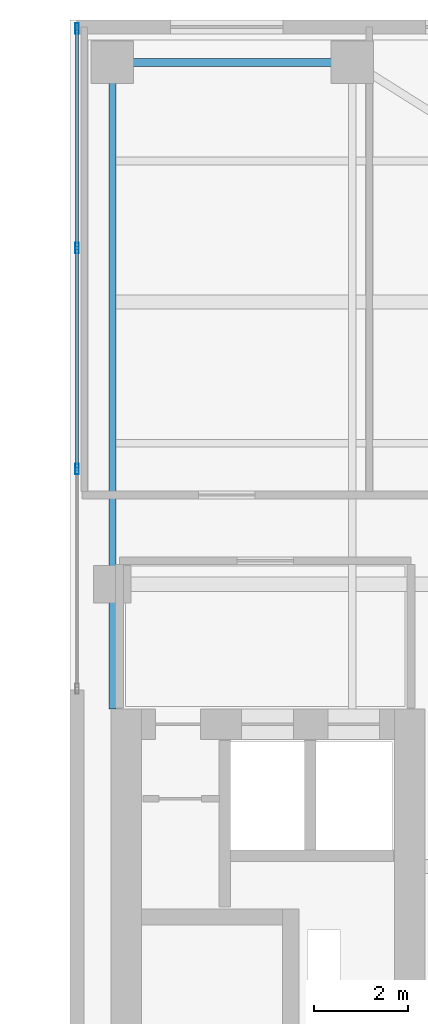
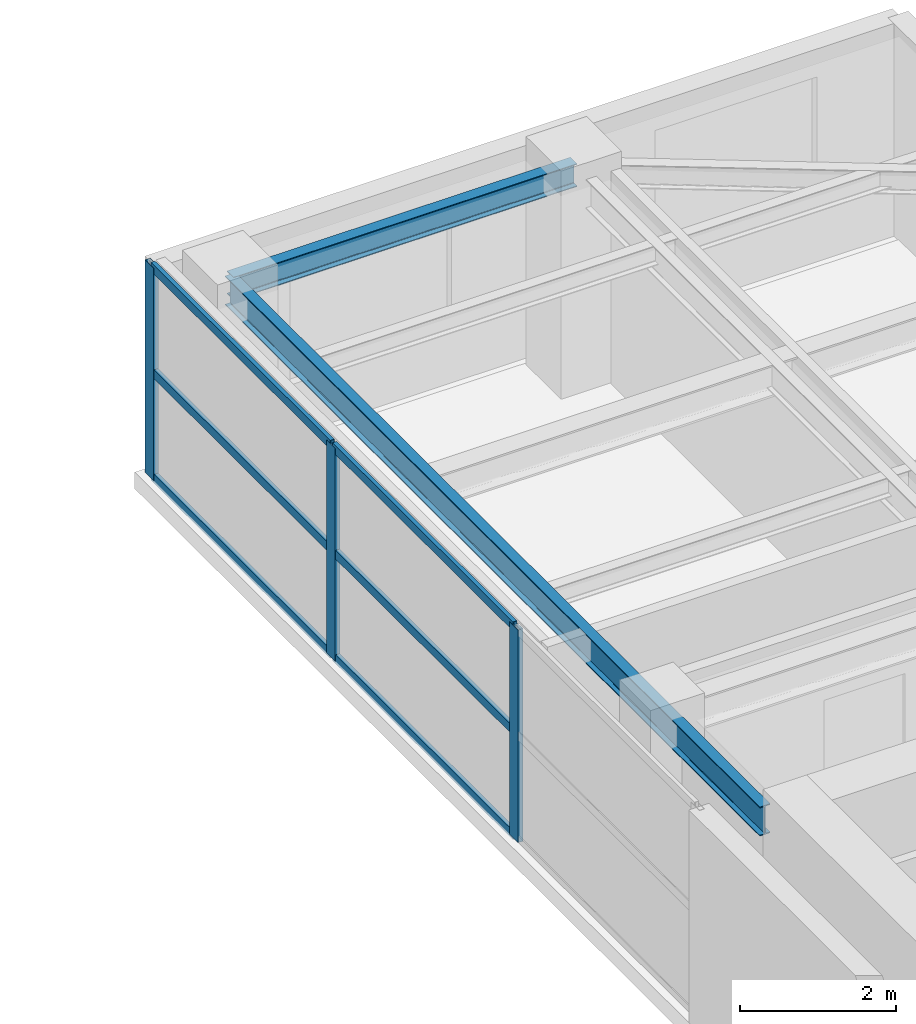
# One storey, part 14 of 21: 9 members, 2 beams, 1 element without a shape of its own.
"""IFC4 building model written with IfcOpenShell, lengths in metres."""

from ifc_helpers import new_model, si_unit, direction, frame, origin, origin_2d, place, context, subcontext, project, spatial, hollow_rectangle, i_section, extrude, source, transform, mapped, material, layer, layer_set, material_profile, profile_set, type_object, element, aggregate, save


model = new_model("IFC4")

# Units and contexts
model_context = context("Model", 3, precision=1e-05, world=origin(), true_north=direction((0.0, 1.0)))
body_context = subcontext(model_context, "Body", "Model", "MODEL_VIEW")
ifc_project = project(units=[si_unit("LENGTHUNIT", "METRE"), si_unit("AREAUNIT", "SQUARE_METRE"), si_unit("VOLUMEUNIT", "CUBIC_METRE"), si_unit("PLANEANGLEUNIT", "RADIAN"), si_unit("MASSUNIT", "GRAM", prefix="KILO")], contexts=[model_context])

# Site, building, storey
site_placement = place(None, origin())
site = spatial("IfcSite", under=ifc_project, at=site_placement, CompositionType="ELEMENT")
building_placement = place(site_placement, origin())
building = spatial("IfcBuilding", under=site, at=building_placement, Name="Khoralis Quay Care Tower", CompositionType="ELEMENT")
storey_placement = place(building_placement, frame((0.0, 0.0, 206.10009765625)))
storey = spatial("IfcBuildingStorey", under=building, at=storey_placement, Name="L54", CompositionType="ELEMENT", Elevation=206.10009765625)

# Beams
ifc_material_1 = material(Name="Steel S355", Category="steel")
ifc_material_profile_1 = material_profile(ifc_material_1, i_section(OverallWidth=0.169921875, OverallDepth=0.360107421875, WebThickness=0.008056640625, FlangeThickness=0.0126953125, FilletRadius=0.01806640625, at=origin_2d()), Name="Steel S355")
ifc_profile_set_1 = profile_set([ifc_material_profile_1], Name="Steel S355")
beam_type_1 = type_object("IfcBeamType", Name="BM-IPE360", PredefinedType="SPANDREL", material=ifc_profile_set_1)
shared_shape_1 = source(origin(), body_context, "Body", "SweptSolid", [
    extrude(i_section(OverallWidth=0.169921875, OverallDepth=0.360107421875, WebThickness=0.008056640625, FlangeThickness=0.0126953125, FilletRadius=0.01806640625, at=origin_2d()), origin(), (0.0, 0.0, 1.0), 5.10009765625),
])
beam_1_placement = place(storey_placement, frame((30.89990234375, 41.10009765625, 3.159912109375), z_axis=(1.0, 0.0, 0.0), x_axis=(0.0, 1.0, 0.0)))
element("IfcBeam", 1, at=beam_1_placement, inside=storey, type_object=beam_type_1, Name="BM-TSP-L54-04", PredefinedType="SPANDREL", context=body_context, shape_type="MappedRepresentation", body=[
    mapped(shared_shape_1, transform((0.0, 0.0, 0.0), scale=1.0)),
])
ifc_material_profile_2 = material_profile(ifc_material_1, i_section(OverallWidth=0.154052734375, OverallDepth=0.458984375, WebThickness=0.009033203125, FlangeThickness=0.015380859375, FilletRadius=0.014892578125, at=origin_2d()), Name="Steel S355")
ifc_profile_set_2 = profile_set([ifc_material_profile_2], Name="Steel S355")
beam_type_2 = type_object("IfcBeamType", Name="BM-W460X68", PredefinedType="BEAM", material=ifc_profile_set_2)
shared_shape_2 = source(origin(), body_context, "Body", "SweptSolid", [
    extrude(i_section(OverallWidth=0.154052734375, OverallDepth=0.458984375, WebThickness=0.009033203125, FlangeThickness=0.015380859375, FilletRadius=0.014892578125, at=origin_2d()), origin(), (0.0, 0.0, 1.0), 13.752197265625),
])
beam_2_placement = place(storey_placement, frame((30.89990234375, 27.347900390625, 3.1103515625), z_axis=(0.0, 1.0, 0.0), x_axis=(-1.0, 0.0, 0.0)))
element("IfcBeam", 2, at=beam_2_placement, inside=storey, type_object=beam_type_2, Name="BM-TGYN-L54-309", PredefinedType="BEAM", context=body_context, shape_type="MappedRepresentation", body=[
    mapped(shared_shape_2, transform((0.0, 0.0, 0.0), scale=1.0)),
])

# Curtain wall, members
ifc_material_2 = material(Name="Pale anodised aluminium", Category="aluminium")
ifc_layer = layer(ifc_material_2, 0.18994140625)
ifc_layer_set = layer_set([ifc_layer], Name="Pale anodised aluminium")
curtain_wall_type = type_object("IfcCurtainWallType", Name="CW-SYS-PORTAL", PredefinedType="NOTDEFINED", material=ifc_layer_set)
curtain_wall_placement = place(storey_placement, origin())
curtain_wall = element("IfcCurtainWall", 3, at=curtain_wall_placement, inside=storey, type_object=curtain_wall_type, Name="L54 Unitised Curtain Wall CW-VP-L54-P2-N", PredefinedType="NOTDEFINED")
ifc_material_profile_3 = material_profile(ifc_material_2, hollow_rectangle(XDim=0.06005859375, YDim=0.139892578125, WallThickness=0.00390625, at=origin_2d()), Name="Pale anodised aluminium")
ifc_profile_set_3 = profile_set([ifc_material_profile_3], Name="Pale anodised aluminium")
member_type_1 = type_object("IfcMemberType", Name="CW-TRN-140", PredefinedType="USERDEFINED", material=ifc_profile_set_3)
shared_shape_3 = source(origin(), body_context, "Body", "SweptSolid", [
    extrude(hollow_rectangle(XDim=0.06005859375, YDim=0.139892578125, WallThickness=0.00390625, at=origin_2d()), origin(), (0.0, 0.0, 1.0), 4.610107421875),
])
member_1_placement = place(storey_placement, frame((30.14990234375, 37.179931640625, 0.02978515625), z_axis=(0.0, 1.0, 0.0), x_axis=(-1.0, 0.0, 0.0)))
member_1 = element("IfcMember", 4, at=member_1_placement, type_object=member_type_1, Name="CW4 transom 3.1", ObjectType="TRANSOM", PredefinedType="USERDEFINED", context=body_context, shape_type="MappedRepresentation", body=[
    mapped(shared_shape_3, transform((0.0, 0.0, 0.0), scale=1.0)),
])
member_2_placement = place(storey_placement, frame((30.14990234375, 37.179931640625, 1.669921875), z_axis=(0.0, 1.0, 0.0), x_axis=(-1.0, 0.0, 0.0)))
member_2 = element("IfcMember", 5, at=member_2_placement, type_object=member_type_1, Name="CW4 transom 3.2", ObjectType="TRANSOM", PredefinedType="USERDEFINED", context=body_context, shape_type="MappedRepresentation", body=[
    mapped(shared_shape_3, transform((0.0, 0.0, 0.0), scale=1.0)),
])
member_3_placement = place(storey_placement, frame((30.14990234375, 37.179931640625, 3.309814453125), z_axis=(0.0, 1.0, 0.0), x_axis=(-1.0, 0.0, 0.0)))
member_3 = element("IfcMember", 6, at=member_3_placement, type_object=member_type_1, Name="CW4 transom 3.3", ObjectType="TRANSOM", PredefinedType="USERDEFINED", context=body_context, shape_type="MappedRepresentation", body=[
    mapped(shared_shape_3, transform((0.0, 0.0, 0.0), scale=1.0)),
])
shared_shape_4 = source(origin(), body_context, "Body", "SweptSolid", [
    extrude(hollow_rectangle(XDim=0.06005859375, YDim=0.139892578125, WallThickness=0.00390625, at=origin_2d()), origin(), (0.0, 0.0, 1.0), 4.64013671875),
])
member_4_placement = place(storey_placement, frame((30.14990234375, 32.47998046875, 0.02978515625), z_axis=(0.0, 1.0, 0.0), x_axis=(-1.0, 0.0, 0.0)))
member_4 = element("IfcMember", 7, at=member_4_placement, type_object=member_type_1, Name="CW4 transom 2.1", ObjectType="TRANSOM", PredefinedType="USERDEFINED", context=body_context, shape_type="MappedRepresentation", body=[
    mapped(shared_shape_4, transform((0.0, 0.0, 0.0), scale=1.0)),
])
member_5_placement = place(storey_placement, frame((30.14990234375, 32.47998046875, 1.669921875), z_axis=(0.0, 1.0, 0.0), x_axis=(-1.0, 0.0, 0.0)))
member_5 = element("IfcMember", 8, at=member_5_placement, type_object=member_type_1, Name="CW4 transom 2.2", ObjectType="TRANSOM", PredefinedType="USERDEFINED", context=body_context, shape_type="MappedRepresentation", body=[
    mapped(shared_shape_4, transform((0.0, 0.0, 0.0), scale=1.0)),
])
member_6_placement = place(storey_placement, frame((30.14990234375, 32.47998046875, 3.309814453125), z_axis=(0.0, 1.0, 0.0), x_axis=(-1.0, 0.0, 0.0)))
member_6 = element("IfcMember", 9, at=member_6_placement, type_object=member_type_1, Name="CW4 transom 2.3", ObjectType="TRANSOM", PredefinedType="USERDEFINED", context=body_context, shape_type="MappedRepresentation", body=[
    mapped(shared_shape_4, transform((0.0, 0.0, 0.0), scale=1.0)),
])
ifc_material_profile_4 = material_profile(ifc_material_2, hollow_rectangle(XDim=0.074951171875, YDim=0.219970703125, WallThickness=0.00390625, at=origin_2d()), Name="Pale anodised aluminium")
ifc_profile_set_4 = profile_set([ifc_material_profile_4], Name="Pale anodised aluminium")
member_type_2 = type_object("IfcMemberType", Name="CW-MUL-220", PredefinedType="MULLION", material=ifc_profile_set_4)
shared_shape_5 = source(origin(), body_context, "Body", "SweptSolid", [
    extrude(hollow_rectangle(XDim=0.074951171875, YDim=0.219970703125, WallThickness=0.00390625, at=origin_2d()), origin(), (0.0, 0.0, 1.0), 3.33984375),
])
member_7_placement = place(storey_placement, frame((30.14990234375, 32.449951171875, 0.0), z_axis=(0.0, 0.0, 1.0), x_axis=(-1.0, 0.0, 0.0)))
member_7 = element("IfcMember", 10, at=member_7_placement, type_object=member_type_2, Name="CW4 mullion 2", PredefinedType="MULLION", context=body_context, shape_type="MappedRepresentation", body=[
    mapped(shared_shape_5, transform((0.0, 0.0, 0.0), scale=1.0)),
])
member_8_placement = place(storey_placement, frame((30.14990234375, 37.14990234375, 0.0), z_axis=(0.0, 0.0, 1.0), x_axis=(-1.0, 0.0, 0.0)))
member_8 = element("IfcMember", 11, at=member_8_placement, type_object=member_type_2, Name="CW4 mullion 3", PredefinedType="MULLION", context=body_context, shape_type="MappedRepresentation", body=[
    mapped(shared_shape_5, transform((0.0, 0.0, 0.0), scale=1.0)),
])
member_9_placement = place(storey_placement, frame((30.14990234375, 41.820068359375, 0.0), z_axis=(0.0, 0.0, 1.0), x_axis=(-1.0, 0.0, 0.0)))
member_9 = element("IfcMember", 12, at=member_9_placement, type_object=member_type_2, Name="CW4 mullion 4", PredefinedType="MULLION", context=body_context, shape_type="MappedRepresentation", body=[
    mapped(shared_shape_5, transform((0.0, 0.0, 0.0), scale=1.0)),
])
aggregate(curtain_wall, [member_7, member_8, member_9, member_4, member_5, member_6, member_1, member_2, member_3])

save(model, "model.ifc")
